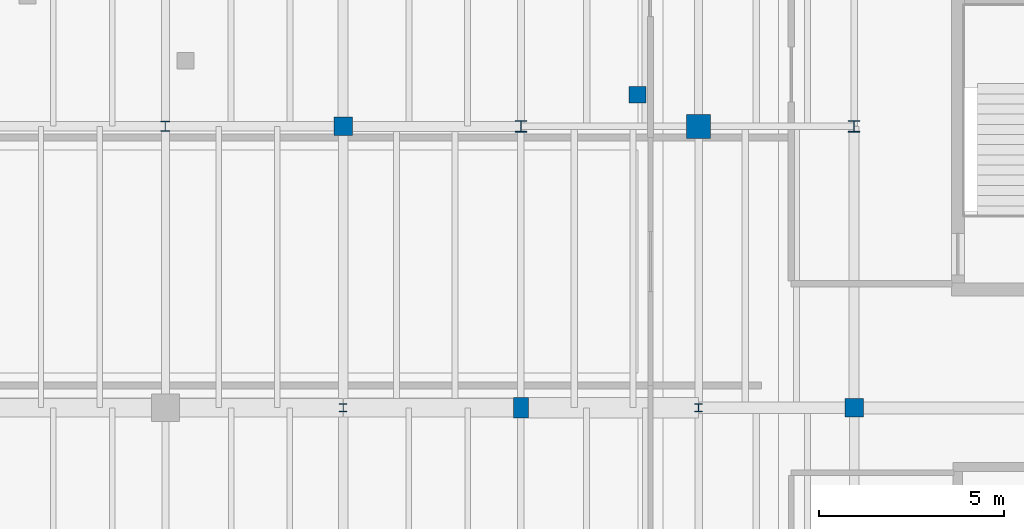
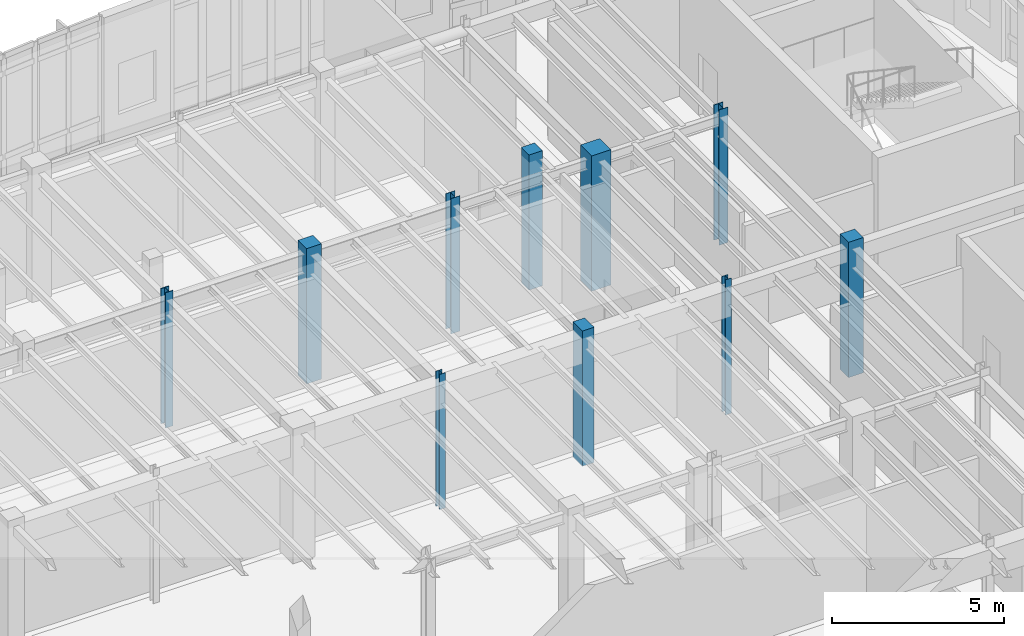
# One storey, part 17 of 120: 10 columns.
"""IFC4 building model written with IfcOpenShell, lengths in metres."""

from ifc_helpers import new_model, si_unit, direction, frame, origin, origin_2d, place, context, subcontext, project, spatial, rectangle, i_section, extrude, material, material_profile, profile_set, type_object, element, save


model = new_model("IFC4")

# Units and contexts
model_context = context("Model", 3, precision=1e-05, world=origin(), true_north=direction((0.0, 1.0)))
body_context = subcontext(model_context, "Body", "Model", "MODEL_VIEW")
ifc_project = project(units=[si_unit("LENGTHUNIT", "METRE"), si_unit("AREAUNIT", "SQUARE_METRE"), si_unit("VOLUMEUNIT", "CUBIC_METRE"), si_unit("PLANEANGLEUNIT", "RADIAN"), si_unit("MASSUNIT", "GRAM", prefix="KILO")], contexts=[model_context])

# Site, building, storey
site_placement = place(None, origin())
site = spatial("IfcSite", under=ifc_project, at=site_placement, CompositionType="ELEMENT")
building_placement = place(site_placement, origin())
building = spatial("IfcBuilding", under=site, at=building_placement, Name="Corveleigh Park Community Centre", CompositionType="ELEMENT")
storey_placement = place(building_placement, origin())
storey = spatial("IfcBuildingStorey", under=building, at=storey_placement, Name="L00", CompositionType="ELEMENT", Elevation=0.0)

# Columns
ifc_material_1 = material(Name="Concrete C40/50", Category="concrete")
ifc_material_profile_1 = material_profile(ifc_material_1, rectangle(XDim=0.39990234375, YDim=0.550048828125, at=origin_2d()), Name="RC-400x550", Category="concrete")
ifc_profile_set_1 = profile_set([ifc_material_profile_1], Name="Concrete C40/50")
column_type_1 = type_object("IfcColumnType", Name="COL-RC-400x550", PredefinedType="COLUMN", material=ifc_profile_set_1)
column_1_placement = place(storey_placement, frame((149.0, 89.0, 0.0), z_axis=(0.0, 0.0, 1.0), x_axis=(1.0, 0.0, 0.0)))
element("IfcColumn", 1, at=column_1_placement, inside=storey, type_object=column_type_1, Name="Column V4-X4Y4 L00", PredefinedType="COLUMN", context=body_context, shape_type="SweptSolid", body=[
    extrude(rectangle(XDim=0.39990234375, YDim=0.550048828125, at=origin_2d()), origin(), (0.0, 0.0, 1.0), 4.800048828125),
])
ifc_material_profile_2 = material_profile(ifc_material_1, rectangle(XDim=0.449951171875, YDim=0.449951171875, at=origin_2d()), Name="RC-450x450", Category="concrete")
ifc_profile_set_2 = profile_set([ifc_material_profile_2], Name="Concrete C40/50")
column_type_2 = type_object("IfcColumnType", Name="COL-RC-450x450", PredefinedType="COLUMN", material=ifc_profile_set_2)
column_2_placement = place(storey_placement, frame((152.14697265625, 97.4560546875, 0.0), z_axis=(0.0, 0.0, 1.0), x_axis=(1.0, 0.0, 0.0)))
element("IfcColumn", 2, at=column_2_placement, inside=storey, type_object=column_type_2, Name="External deck support pier 140 L00", PredefinedType="COLUMN", context=body_context, shape_type="SweptSolid", body=[
    extrude(rectangle(XDim=0.449951171875, YDim=0.449951171875, at=origin_2d()), origin(), (0.0, 0.0, 1.0), 4.800048828125),
])
ifc_material_profile_3 = material_profile(ifc_material_1, rectangle(XDim=0.5, YDim=0.5, at=origin_2d()), Name="RC-500x500", Category="concrete")
ifc_profile_set_3 = profile_set([ifc_material_profile_3], Name="Concrete C40/50")
column_type_3 = type_object("IfcColumnType", Name="COL-RC-500x500", PredefinedType="COLUMN", material=ifc_profile_set_3)
for number, where, z_axis, x_axis, name in (
    (3, (144.199951171875, 96.60009765625, 0.0), (0.0, 0.0, 1.0), (1.0, 0.0, 0.0), "Column V4-X3Y5 L00"),
    (4, (158.0, 89.0, 0.0), (0.0, 0.0, 1.0), (1.0, 0.0, 0.0), "Column V4-X6Y4 L00"),
):
    element("IfcColumn", number, at=place(storey_placement, frame(where, z_axis=z_axis, x_axis=x_axis)), inside=storey, type_object=column_type_3, Name=name, PredefinedType="COLUMN", context=body_context, shape_type="SweptSolid", body=[
        extrude(rectangle(XDim=0.5, YDim=0.5, at=origin_2d()), origin(), (0.0, 0.0, 1.0), 4.800048828125),
    ])
ifc_material_profile_4 = material_profile(ifc_material_1, rectangle(XDim=0.64990234375, YDim=0.64990234375, at=origin_2d()), Name="RC-650x650", Category="concrete")
ifc_profile_set_4 = profile_set([ifc_material_profile_4], Name="Concrete C40/50")
column_type_4 = type_object("IfcColumnType", Name="COL-RC-650x650", PredefinedType="COLUMN", material=ifc_profile_set_4)
column_3_placement = place(storey_placement, frame((153.800048828125, 96.60009765625, 0.0), z_axis=(0.0, 0.0, 1.0), x_axis=(1.0, 0.0, 0.0)))
element("IfcColumn", 5, at=column_3_placement, inside=storey, type_object=column_type_4, Name="Column V4-X5Y5 L00", PredefinedType="COLUMN", context=body_context, shape_type="SweptSolid", body=[
    extrude(rectangle(XDim=0.64990234375, YDim=0.64990234375, at=origin_2d()), origin(), (0.0, 0.0, 1.0), 4.800048828125),
])
ifc_material_2 = material(Name="Steel S355", Category="steel")
ifc_material_profile_5 = material_profile(ifc_material_2, i_section(OverallWidth=0.204345703125, OverallDepth=0.206298828125, WebThickness=0.0078125, FlangeThickness=0.012451171875, at=origin_2d()), Name="UKC 203x203x52", Category="steel")
ifc_profile_set_5 = profile_set([ifc_material_profile_5], Name="Steel S355")
column_type_5 = type_object("IfcColumnType", Name="COL-STL-UKC203x52", PredefinedType="COLUMN", material=ifc_profile_set_5)
column_4_placement = place(storey_placement, frame((144.199951171875, 89.0, 0.0), z_axis=(0.0, 0.0, 1.0), x_axis=(1.0, 0.0, 0.0)))
element("IfcColumn", 6, at=column_4_placement, inside=storey, type_object=column_type_5, Name="Column V4-X3Y4 L00", PredefinedType="COLUMN", context=body_context, shape_type="SweptSolid", body=[
    extrude(i_section(OverallWidth=0.204345703125, OverallDepth=0.206298828125, WebThickness=0.0078125, FlangeThickness=0.012451171875, at=origin_2d()), origin(), (0.0, 0.0, 1.0), 4.800048828125),
])
ifc_material_profile_6 = material_profile(ifc_material_2, i_section(OverallWidth=0.205810546875, OverallDepth=0.209716796875, WebThickness=0.009521484375, FlangeThickness=0.01416015625, at=origin_2d()), Name="UKC 203x203x60", Category="steel")
ifc_profile_set_6 = profile_set([ifc_material_profile_6], Name="Steel S355")
column_type_6 = type_object("IfcColumnType", Name="COL-STL-UKC203x60", PredefinedType="COLUMN", material=ifc_profile_set_6)
column_5_placement = place(storey_placement, frame((153.800048828125, 89.0, 0.0), z_axis=(0.0, 0.0, 1.0), x_axis=(1.0, 0.0, 0.0)))
element("IfcColumn", 7, at=column_5_placement, inside=storey, type_object=column_type_6, Name="Column V4-X5Y4 L00", PredefinedType="COLUMN", context=body_context, shape_type="SweptSolid", body=[
    extrude(i_section(OverallWidth=0.205810546875, OverallDepth=0.209716796875, WebThickness=0.009521484375, FlangeThickness=0.01416015625, at=origin_2d()), origin(), (0.0, 0.0, 1.0), 4.800048828125),
])
ifc_material_profile_7 = material_profile(ifc_material_2, i_section(OverallWidth=0.26123046875, OverallDepth=0.2763671875, WebThickness=0.015380859375, FlangeThickness=0.025390625, at=origin_2d()), Name="UKC 254x254x132", Category="steel")
ifc_profile_set_7 = profile_set([ifc_material_profile_7], Name="Steel S355")
column_type_7 = type_object("IfcColumnType", Name="COL-STL-UKC254x132", PredefinedType="COLUMN", material=ifc_profile_set_7)
column_6_placement = place(storey_placement, frame((139.39990234375, 96.60009765625, 0.0), z_axis=(0.0, 0.0, 1.0), x_axis=(1.0, 0.0, 0.0)))
element("IfcColumn", 8, at=column_6_placement, inside=storey, type_object=column_type_7, Name="Column V4-X2Y5 L00", PredefinedType="COLUMN", context=body_context, shape_type="SweptSolid", body=[
    extrude(i_section(OverallWidth=0.26123046875, OverallDepth=0.2763671875, WebThickness=0.015380859375, FlangeThickness=0.025390625, at=origin_2d()), origin(), (0.0, 0.0, 1.0), 4.800048828125),
])
ifc_material_profile_8 = material_profile(ifc_material_2, i_section(OverallWidth=0.307373046875, OverallDepth=0.314453125, WebThickness=0.011962890625, FlangeThickness=0.018798828125, at=origin_2d()), Name="UKC 305x305x118", Category="steel")
ifc_profile_set_8 = profile_set([ifc_material_profile_8], Name="Steel S355")
column_type_8 = type_object("IfcColumnType", Name="COL-STL-UKC305x118", PredefinedType="COLUMN", material=ifc_profile_set_8)
column_7_placement = place(storey_placement, frame((158.0, 96.60009765625, 0.0), z_axis=(0.0, 0.0, 1.0), x_axis=(1.0, 0.0, 0.0)))
element("IfcColumn", 9, at=column_7_placement, inside=storey, type_object=column_type_8, Name="Column V4-X6Y5 L00", PredefinedType="COLUMN", context=body_context, shape_type="SweptSolid", body=[
    extrude(i_section(OverallWidth=0.307373046875, OverallDepth=0.314453125, WebThickness=0.011962890625, FlangeThickness=0.018798828125, at=origin_2d()), origin(), (0.0, 0.0, 1.0), 4.800048828125),
])
ifc_material_profile_9 = material_profile(ifc_material_2, i_section(OverallWidth=0.305419921875, OverallDepth=0.307861328125, WebThickness=0.010009765625, FlangeThickness=0.015380859375, at=origin_2d()), Name="UKC 305x305x97", Category="steel")
ifc_profile_set_9 = profile_set([ifc_material_profile_9], Name="Steel S355")
column_type_9 = type_object("IfcColumnType", Name="COL-STL-UKC305x97", PredefinedType="COLUMN", material=ifc_profile_set_9)
column_8_placement = place(storey_placement, frame((149.0, 96.60009765625, 0.0), z_axis=(0.0, 0.0, 1.0), x_axis=(1.0, 0.0, 0.0)))
element("IfcColumn", 10, at=column_8_placement, inside=storey, type_object=column_type_9, Name="Column V4-X4Y5 L00", PredefinedType="COLUMN", context=body_context, shape_type="SweptSolid", body=[
    extrude(i_section(OverallWidth=0.305419921875, OverallDepth=0.307861328125, WebThickness=0.010009765625, FlangeThickness=0.015380859375, at=origin_2d()), origin(), (0.0, 0.0, 1.0), 4.800048828125),
])

save(model, "model.ifc")
